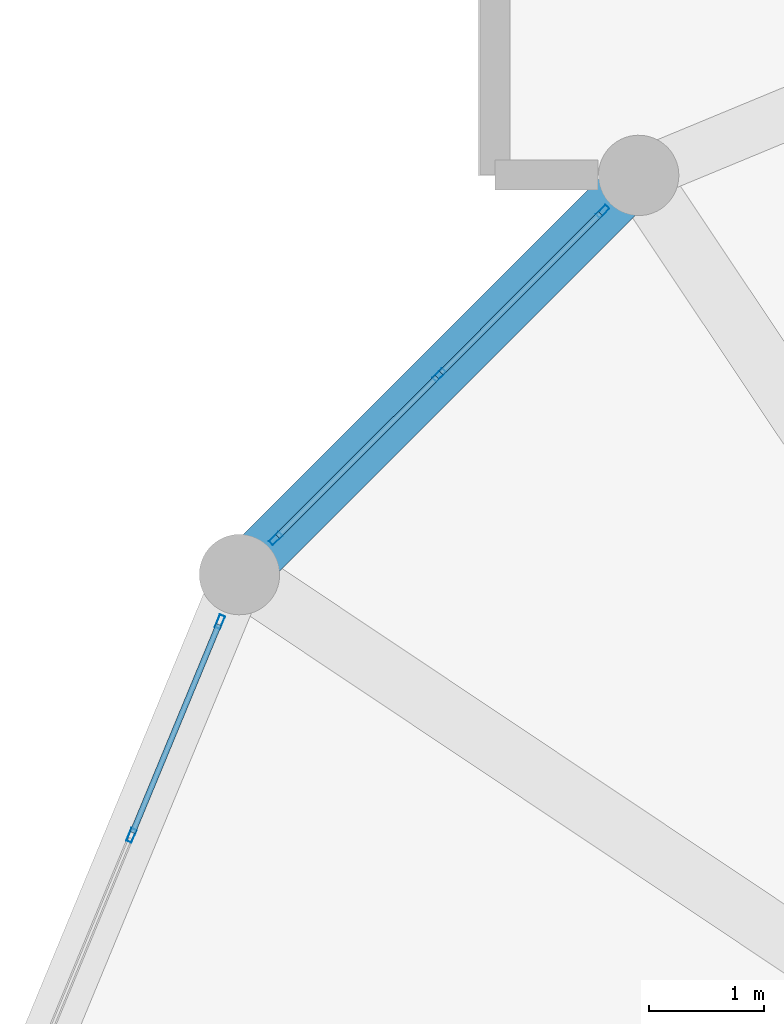
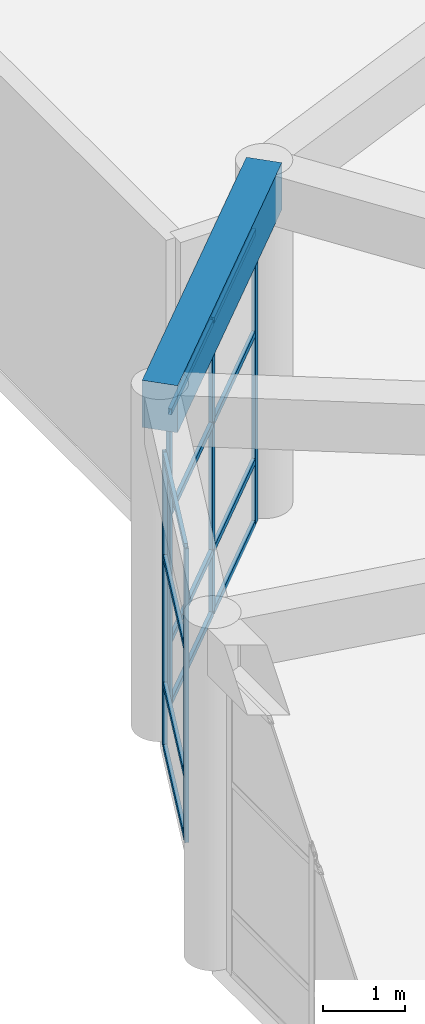
# One storey, part 13 of 95: 17 members, 1 beam, 2 elements without a shape of their own.
"""IFC4 building model written with IfcOpenShell, lengths in metres."""

from ifc_helpers import new_model, si_unit, direction, frame, origin, origin_2d, place, context, subcontext, project, spatial, rectangle, hollow_rectangle, extrude, material, material_profile, profile_set, type_object, element, aggregate, save


model = new_model("IFC4")

# Units and contexts
model_context = context("Model", 3, precision=1e-05, world=origin(), true_north=direction((0.0, 1.0)))
body_context = subcontext(model_context, "Body", "Model", "MODEL_VIEW")
ifc_project = project(units=[si_unit("LENGTHUNIT", "METRE"), si_unit("AREAUNIT", "SQUARE_METRE"), si_unit("VOLUMEUNIT", "CUBIC_METRE"), si_unit("PLANEANGLEUNIT", "RADIAN"), si_unit("MASSUNIT", "GRAM", prefix="KILO")], contexts=[model_context])

# Site, building, storey
site_placement = place(None, origin())
site = spatial("IfcSite", under=ifc_project, at=site_placement, CompositionType="ELEMENT")
building_placement = place(site_placement, origin())
building = spatial("IfcBuilding", under=site, at=building_placement, Name="Almacenes y Pasaje Nevantli", CompositionType="ELEMENT")
storey_placement = place(building_placement, frame((0.0, 0.0, 11.39990234375)))
storey = spatial("IfcBuildingStorey", under=building, at=storey_placement, Name="L03", CompositionType="ELEMENT", Elevation=11.39990234375)

# Beam
ifc_material_1 = material(Name="Concrete C35/45", Category="concrete")
ifc_material_profile_1 = material_profile(ifc_material_1, rectangle(XDim=0.449951171875, YDim=0.699951171875, at=origin_2d()), Name="RC-BM-450x700")
ifc_profile_set_1 = profile_set([ifc_material_profile_1], Name="Concrete C35/45")
beam_type = type_object("IfcBeamType", Name="BM-RC-450x700", PredefinedType="SPANDREL", material=ifc_profile_set_1)
beam_placement = place(storey_placement, frame((1.39990234375, 18.87646484375, 4.75), z_axis=(-0.707106781187, -0.707106781187, 0.0), x_axis=(0.707106781187, -0.707106781187, 0.0)))
element("IfcBeam", 1, at=beam_placement, inside=storey, type_object=beam_type, Name="L03 Rotunda Ring Spandrel Beam #6", PredefinedType="SPANDREL", context=body_context, shape_type="SweptSolid", body=[
    extrude(rectangle(XDim=0.449951171875, YDim=0.699951171875, at=origin_2d()), origin(), (0.0, 0.0, 1.0), 4.916259765625),
])

# Curtain wall, members
ifc_material_2 = material(Name="Thermally Broken Aluminium and Low-E Glass", Category="aluminium")
curtain_wall_type = type_object("IfcCurtainWallType", Name="CW-UNIT-ROTUNDA", PredefinedType="USERDEFINED", material=ifc_material_2)
curtain_wall_1_placement = place(storey_placement, origin())
curtain_wall_1 = element("IfcCurtainWall", 2, at=curtain_wall_1_placement, inside=storey, type_object=curtain_wall_type, Name="L03 Corner Rotunda Faceted Curtain Wall Facet #6", ObjectType="UNITIZED CURTAIN WALL", PredefinedType="USERDEFINED")
ifc_material_3 = material(Name="Thermally Broken Anodized Aluminium", Category="aluminium")
ifc_material_profile_2 = material_profile(ifc_material_3, hollow_rectangle(XDim=0.050048828125, YDim=0.1201171875, WallThickness=0.003173828125, at=origin_2d()), Name="ALU-MUL-50x120")
ifc_profile_set_2 = profile_set([ifc_material_profile_2], Name="Thermally Broken Anodized Aluminium")
member_type_1 = type_object("IfcMemberType", Name="CW-MUL-140", PredefinedType="MULLION", material=ifc_profile_set_2)
member_1_placement = place(storey_placement, frame((1.085205078125, 18.561767578125, 0.0), z_axis=(0.0, 0.0, 1.0), x_axis=(0.707106781187, -0.707106781187, 0.0)))
member_1 = element("IfcMember", 3, at=member_1_placement, type_object=member_type_1, Name="CW-L03-058 mullion 1", PredefinedType="MULLION", context=body_context, shape_type="SweptSolid", body=[
    extrude(hollow_rectangle(XDim=0.050048828125, YDim=0.1201171875, WallThickness=0.003173828125, at=origin_2d()), origin(), (0.0, 0.0, 1.0), 4.380126953125),
])
member_2_placement = place(storey_placement, frame((-0.33837890625, 17.138427734375, 0.0), z_axis=(0.0, 0.0, 1.0), x_axis=(0.707106781187, -0.707106781187, 0.0)))
member_2 = element("IfcMember", 4, at=member_2_placement, type_object=member_type_1, Name="CW-L03-058 mullion 2", PredefinedType="MULLION", context=body_context, shape_type="SweptSolid", body=[
    extrude(hollow_rectangle(XDim=0.050048828125, YDim=0.1201171875, WallThickness=0.003173828125, at=origin_2d()), origin(), (0.0, 0.0, 1.0), 4.380126953125),
])
member_3_placement = place(storey_placement, frame((-1.76171875, 15.71484375, 0.0), z_axis=(0.0, 0.0, 1.0), x_axis=(0.707106781187, -0.707106781187, 0.0)))
member_3 = element("IfcMember", 5, at=member_3_placement, type_object=member_type_1, Name="CW-L03-058 mullion 3", PredefinedType="MULLION", context=body_context, shape_type="SweptSolid", body=[
    extrude(hollow_rectangle(XDim=0.050048828125, YDim=0.1201171875, WallThickness=0.003173828125, at=origin_2d()), origin(), (0.0, 0.0, 1.0), 4.380126953125),
])

curtain_wall_2_placement = place(storey_placement, origin())
curtain_wall_2 = element("IfcCurtainWall", 6, at=curtain_wall_2_placement, inside=storey, type_object=curtain_wall_type, Name="L03 Corner Rotunda Faceted Curtain Wall Facet #7", ObjectType="UNITIZED CURTAIN WALL", PredefinedType="USERDEFINED")
member_4_placement = place(storey_placement, frame((-2.246826171875, 14.989013671875, 0.0), z_axis=(0.0, 0.0, 1.0), x_axis=(0.923873311502, -0.382698450865, 0.0)))
member_4 = element("IfcMember", 7, at=member_4_placement, type_object=member_type_1, Name="CW-L03-059 mullion 1", PredefinedType="MULLION", context=body_context, shape_type="SweptSolid", body=[
    extrude(hollow_rectangle(XDim=0.050048828125, YDim=0.1201171875, WallThickness=0.003173828125, at=origin_2d()), origin(), (0.0, 0.0, 1.0), 4.380126953125),
])
member_5_placement = place(storey_placement, frame((-3.01708984375, 13.129150390625, 0.0), z_axis=(0.0, 0.0, 1.0), x_axis=(0.923873311502, -0.382698450865, 0.0)))
member_5 = element("IfcMember", 8, at=member_5_placement, type_object=member_type_1, Name="CW-L03-059 mullion 2", PredefinedType="MULLION", context=body_context, shape_type="SweptSolid", body=[
    extrude(hollow_rectangle(XDim=0.050048828125, YDim=0.1201171875, WallThickness=0.003173828125, at=origin_2d()), origin(), (0.0, 0.0, 1.0), 4.380126953125),
])

# Member
ifc_material_4 = material(Name="Thermally Broken Anodized Aluminium", Category="aluminium")
ifc_material_profile_3 = material_profile(ifc_material_4, hollow_rectangle(XDim=0.050048828125, YDim=0.090087890625, WallThickness=0.0029296875, at=origin_2d()), Name="ALU-TRN-50x90")
ifc_profile_set_3 = profile_set([ifc_material_profile_3], Name="Thermally Broken Anodized Aluminium")
member_type_2 = type_object("IfcMemberType", Name="CW-TRN-100", PredefinedType="USERDEFINED", material=ifc_profile_set_3)
member_6_placement = place(storey_placement, frame((1.0673828125, 18.544189453125, 0.025146484375), z_axis=(-0.707044593352, -0.707168963553, 0.0), x_axis=(0.707168963553, -0.707044593352, 0.0)))
member_6 = element("IfcMember", 9, at=member_6_placement, type_object=member_type_2, Name="CW-L03-058 transom 1.1", ObjectType="TRANSOM", PredefinedType="USERDEFINED", context=body_context, shape_type="SweptSolid", body=[
    extrude(hollow_rectangle(XDim=0.050048828125, YDim=0.090087890625, WallThickness=0.0029296875, at=origin_2d()), origin(), (0.0, 0.0, 1.0), 1.963134765625),
])

member_7_placement = place(storey_placement, frame((1.0673828125, 18.544189453125, 0.9501953125), z_axis=(-0.707044593352, -0.707168963553, 0.0), x_axis=(0.707168963553, -0.707044593352, 0.0)))
member_7 = element("IfcMember", 10, at=member_7_placement, type_object=member_type_2, Name="CW-L03-058 transom 1.2", ObjectType="TRANSOM", PredefinedType="USERDEFINED", context=body_context, shape_type="SweptSolid", body=[
    extrude(hollow_rectangle(XDim=0.050048828125, YDim=0.090087890625, WallThickness=0.0029296875, at=origin_2d()), origin(), (0.0, 0.0, 1.0), 1.963134765625),
])

member_8_placement = place(storey_placement, frame((1.0673828125, 18.544189453125, 2.85009765625), z_axis=(-0.707044593352, -0.707168963553, 0.0), x_axis=(0.707168963553, -0.707044593352, 0.0)))
member_8 = element("IfcMember", 11, at=member_8_placement, type_object=member_type_2, Name="CW-L03-058 transom 1.3", ObjectType="TRANSOM", PredefinedType="USERDEFINED", context=body_context, shape_type="SweptSolid", body=[
    extrude(hollow_rectangle(XDim=0.050048828125, YDim=0.090087890625, WallThickness=0.0029296875, at=origin_2d()), origin(), (0.0, 0.0, 1.0), 1.963134765625),
])

member_9_placement = place(storey_placement, frame((1.0673828125, 18.544189453125, 4.35498046875), z_axis=(-0.707044593352, -0.707168963553, 0.0), x_axis=(0.707168963553, -0.707044593352, 0.0)))
member_9 = element("IfcMember", 12, at=member_9_placement, type_object=member_type_2, Name="CW-L03-058 transom 1.4", ObjectType="TRANSOM", PredefinedType="USERDEFINED", context=body_context, shape_type="SweptSolid", body=[
    extrude(hollow_rectangle(XDim=0.050048828125, YDim=0.090087890625, WallThickness=0.0029296875, at=origin_2d()), origin(), (0.0, 0.0, 1.0), 1.963134765625),
])

member_10_placement = place(storey_placement, frame((-0.35595703125, 17.12060546875, 0.025146484375), z_axis=(-0.707168963553, -0.707044593352, 0.0), x_axis=(0.707044593352, -0.707168963553, 0.0)))
member_10 = element("IfcMember", 13, at=member_10_placement, type_object=member_type_2, Name="CW-L03-058 transom 2.1", ObjectType="TRANSOM", PredefinedType="USERDEFINED", context=body_context, shape_type="SweptSolid", body=[
    extrude(hollow_rectangle(XDim=0.050048828125, YDim=0.090087890625, WallThickness=0.0029296875, at=origin_2d()), origin(), (0.0, 0.0, 1.0), 1.963134765625),
])

member_11_placement = place(storey_placement, frame((-0.35595703125, 17.12060546875, 0.9501953125), z_axis=(-0.707168963553, -0.707044593352, 0.0), x_axis=(0.707044593352, -0.707168963553, 0.0)))
member_11 = element("IfcMember", 14, at=member_11_placement, type_object=member_type_2, Name="CW-L03-058 transom 2.2", ObjectType="TRANSOM", PredefinedType="USERDEFINED", context=body_context, shape_type="SweptSolid", body=[
    extrude(hollow_rectangle(XDim=0.050048828125, YDim=0.090087890625, WallThickness=0.0029296875, at=origin_2d()), origin(), (0.0, 0.0, 1.0), 1.963134765625),
])

member_12_placement = place(storey_placement, frame((-0.35595703125, 17.12060546875, 2.85009765625), z_axis=(-0.707168963553, -0.707044593352, 0.0), x_axis=(0.707044593352, -0.707168963553, 0.0)))
member_12 = element("IfcMember", 15, at=member_12_placement, type_object=member_type_2, Name="CW-L03-058 transom 2.3", ObjectType="TRANSOM", PredefinedType="USERDEFINED", context=body_context, shape_type="SweptSolid", body=[
    extrude(hollow_rectangle(XDim=0.050048828125, YDim=0.090087890625, WallThickness=0.0029296875, at=origin_2d()), origin(), (0.0, 0.0, 1.0), 1.963134765625),
])

member_13_placement = place(storey_placement, frame((-0.35595703125, 17.12060546875, 4.35498046875), z_axis=(-0.707168963553, -0.707044593352, 0.0), x_axis=(0.707044593352, -0.707168963553, 0.0)))
member_13 = element("IfcMember", 16, at=member_13_placement, type_object=member_type_2, Name="CW-L03-058 transom 2.4", ObjectType="TRANSOM", PredefinedType="USERDEFINED", context=body_context, shape_type="SweptSolid", body=[
    extrude(hollow_rectangle(XDim=0.050048828125, YDim=0.090087890625, WallThickness=0.0029296875, at=origin_2d()), origin(), (0.0, 0.0, 1.0), 1.963134765625),
])

aggregate(curtain_wall_1, [member_1, member_2, member_3, member_6, member_7, member_8, member_9, member_10, member_11, member_12, member_13])

member_14_placement = place(storey_placement, frame((-2.25634765625, 14.966064453125, 0.025146484375), z_axis=(-0.382662992588, -0.923887998679, 0.0), x_axis=(0.923887998679, -0.382662992588, 0.0)))
member_14 = element("IfcMember", 17, at=member_14_placement, type_object=member_type_2, Name="CW-L03-059 transom 1.1", ObjectType="TRANSOM", PredefinedType="USERDEFINED", context=body_context, shape_type="SweptSolid", body=[
    extrude(hollow_rectangle(XDim=0.050048828125, YDim=0.090087890625, WallThickness=0.0029296875, at=origin_2d()), origin(), (0.0, 0.0, 1.0), 1.963134765625),
])

member_15_placement = place(storey_placement, frame((-2.25634765625, 14.966064453125, 0.9501953125), z_axis=(-0.382662992588, -0.923887998679, 0.0), x_axis=(0.923887998679, -0.382662992588, 0.0)))
member_15 = element("IfcMember", 18, at=member_15_placement, type_object=member_type_2, Name="CW-L03-059 transom 1.2", ObjectType="TRANSOM", PredefinedType="USERDEFINED", context=body_context, shape_type="SweptSolid", body=[
    extrude(hollow_rectangle(XDim=0.050048828125, YDim=0.090087890625, WallThickness=0.0029296875, at=origin_2d()), origin(), (0.0, 0.0, 1.0), 1.963134765625),
])

member_16_placement = place(storey_placement, frame((-2.25634765625, 14.966064453125, 2.85009765625), z_axis=(-0.382662992588, -0.923887998679, 0.0), x_axis=(0.923887998679, -0.382662992588, 0.0)))
member_16 = element("IfcMember", 19, at=member_16_placement, type_object=member_type_2, Name="CW-L03-059 transom 1.3", ObjectType="TRANSOM", PredefinedType="USERDEFINED", context=body_context, shape_type="SweptSolid", body=[
    extrude(hollow_rectangle(XDim=0.050048828125, YDim=0.090087890625, WallThickness=0.0029296875, at=origin_2d()), origin(), (0.0, 0.0, 1.0), 1.963134765625),
])

member_17_placement = place(storey_placement, frame((-2.25634765625, 14.966064453125, 4.35498046875), z_axis=(-0.382662992588, -0.923887998679, 0.0), x_axis=(0.923887998679, -0.382662992588, 0.0)))
member_17 = element("IfcMember", 20, at=member_17_placement, type_object=member_type_2, Name="CW-L03-059 transom 1.4", ObjectType="TRANSOM", PredefinedType="USERDEFINED", context=body_context, shape_type="SweptSolid", body=[
    extrude(hollow_rectangle(XDim=0.050048828125, YDim=0.090087890625, WallThickness=0.0029296875, at=origin_2d()), origin(), (0.0, 0.0, 1.0), 1.963134765625),
])

aggregate(curtain_wall_2, [member_4, member_5, member_14, member_15, member_16, member_17])

save(model, "model.ifc")
